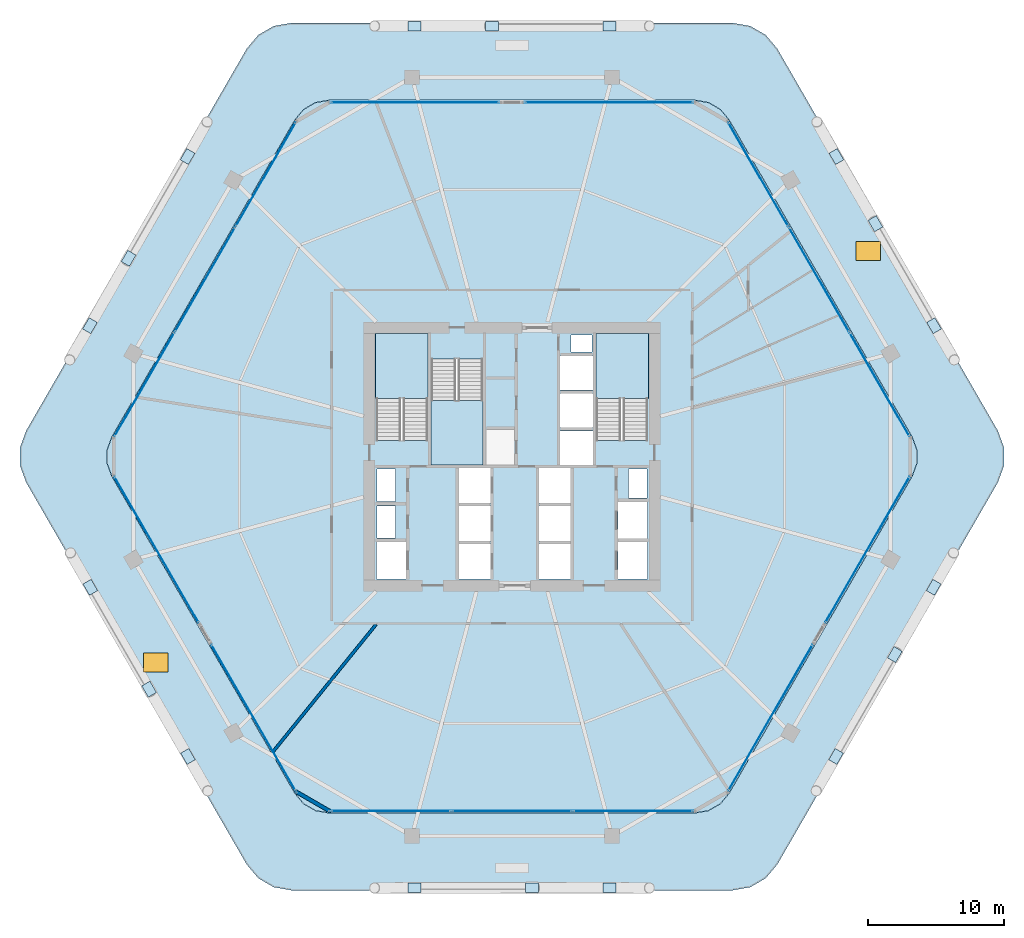
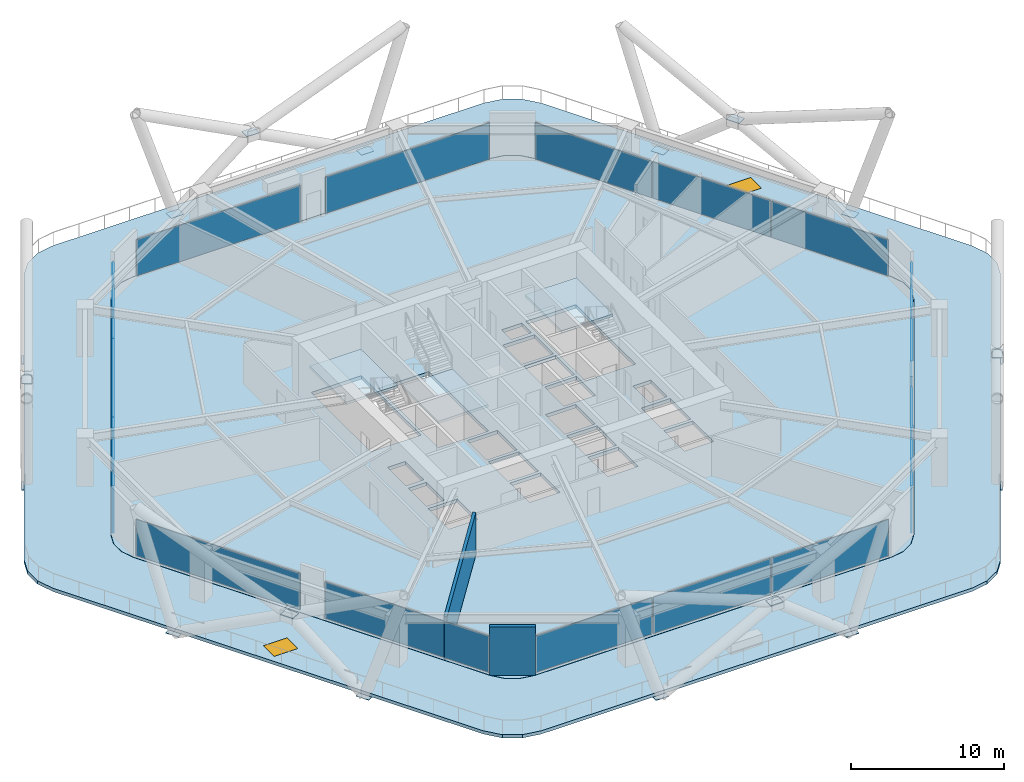
# One storey, part 22 of 28: 33 plates, 5 slabs, 2 walls, 2 windows, 2 openings, 12 elements without a shape of their own.
"""IFC4 building model written with IfcOpenShell, lengths in metres."""

from ifc_helpers import new_model, si_unit, direction, frame, frame_2d, origin, origin_2d, place, context, subcontext, project, spatial, polyline, rectangle, outline, extrude, material, layer, layer_set, type_object, element, fill, aggregate, save


model = new_model("IFC4")

# Units and contexts
model_context = context("Model", 3, precision=1e-05, world=origin(), true_north=direction((0.0, 1.0)))
body_context = subcontext(model_context, "Body", "Model", "MODEL_VIEW")
ifc_project = project(units=[si_unit("LENGTHUNIT", "METRE"), si_unit("AREAUNIT", "SQUARE_METRE"), si_unit("VOLUMEUNIT", "CUBIC_METRE"), si_unit("PLANEANGLEUNIT", "RADIAN"), si_unit("MASSUNIT", "GRAM", prefix="KILO")], contexts=[model_context])

# Site, building, storey
site_placement = place(None, origin())
site = spatial("IfcSite", under=ifc_project, at=site_placement, CompositionType="ELEMENT")
building_placement = place(site_placement, origin())
building = spatial("IfcBuilding", under=site, at=building_placement, Name="Zuhravey Tower", CompositionType="ELEMENT")
storey_placement = place(building_placement, frame((0.0, 0.0, 83.39990234375)))
storey = spatial("IfcBuildingStorey", under=building, at=storey_placement, Name="L20", CompositionType="ELEMENT", Elevation=83.39990234375)

# Curtain wall, plate
ifc_material_1 = material(Name="Thermally broken anodised aluminium", Category="aluminium")
curtain_wall_type = type_object("IfcCurtainWallType", Name="Sky-Playground Recessed Curtain Wall CW2", PredefinedType="NOTDEFINED", material=ifc_material_1)
curtain_wall_1_placement = place(storey_placement, origin())
curtain_wall_1 = element("IfcCurtainWall", 1, at=curtain_wall_1_placement, inside=storey, type_object=curtain_wall_type, Name="L20 CW2 CW-L20-F6-1", PredefinedType="NOTDEFINED")
ifc_material_2 = material(Name="Laminated acoustic low-E vision glass", Category="glass")
ifc_layer_1 = layer(ifc_material_2, 0.048095703125)
ifc_layer_set_1 = layer_set([ifc_layer_1], Name="Laminated acoustic low-E vision glass")
plate_type_1 = type_object("IfcPlateType", Name="Acoustic School Vision Panel", PredefinedType="CURTAIN_PANEL", material=ifc_layer_set_1)
plate_1_placement = place(storey_placement, frame((62.183837890625, 25.134765625, 0.10009765625), z_axis=(0.0, 0.0, 1.0), x_axis=(-0.499996956819, -0.866027160758, 0.0)))
plate_1 = element("IfcPlate", 2, at=plate_1_placement, type_object=plate_type_1, Name="CW2 panel 1.1", PredefinedType="CURTAIN_PANEL", context=body_context, shape_type="SweptSolid", body=[
    extrude(rectangle(XDim=12.392578125, YDim=0.048095703125, at=origin_2d()), origin(), (0.0, 0.0, 1.0), 2.89990234375),
])
aggregate(curtain_wall_1, [plate_1])

curtain_wall_2_placement = place(storey_placement, origin())
curtain_wall_2 = element("IfcCurtainWall", 3, at=curtain_wall_2_placement, inside=storey, type_object=curtain_wall_type, Name="L20 CW2 CW-L20-F6-2", PredefinedType="NOTDEFINED")
plate_2_placement = place(storey_placement, frame((55.037353515625, 12.7568359375, 0.10009765625), z_axis=(0.0, 0.0, 1.0), x_axis=(-0.499999474059, -0.866025707437, 0.0)))
plate_2 = element("IfcPlate", 4, at=plate_2_placement, type_object=plate_type_1, Name="CW2 panel 1.1", PredefinedType="CURTAIN_PANEL", context=body_context, shape_type="SweptSolid", body=[
    extrude(rectangle(XDim=12.392822265625, YDim=0.048095703125, at=origin_2d()), origin(), (0.0, 0.0, 1.0), 2.89990234375),
])
aggregate(curtain_wall_2, [plate_2])

# Curtain wall, plates
curtain_wall_3_placement = place(storey_placement, origin())
curtain_wall_3 = element("IfcCurtainWall", 5, at=curtain_wall_3_placement, inside=storey, type_object=curtain_wall_type, Name="L20 CW2 CW-L20-F5-1", PredefinedType="NOTDEFINED")
plate_3_placement = place(storey_placement, frame((44.936767578125, 5.8916015625, 0.10009765625), z_axis=(0.0, 0.0, 1.0), x_axis=(-1.0, 0.0, 0.0)))
plate_3 = element("IfcPlate", 6, at=plate_3_placement, type_object=plate_type_1, Name="CW2 panel 1.1", PredefinedType="CURTAIN_PANEL", context=body_context, shape_type="SweptSolid", body=[
    extrude(rectangle(XDim=8.811767578125, YDim=0.048095703125, at=origin_2d()), origin(), (0.0, 0.0, 1.0), 2.89990234375),
])
plate_4_placement = place(storey_placement, frame((36.0, 5.8916015625, 0.10009765625), z_axis=(0.0, 0.0, 1.0), x_axis=(-1.0, 0.0, 0.0)))
plate_4 = element("IfcPlate", 7, at=plate_4_placement, type_object=plate_type_1, Name="CW2 panel 2.1", PredefinedType="CURTAIN_PANEL", context=body_context, shape_type="SweptSolid", body=[
    extrude(rectangle(XDim=8.86181640625, YDim=0.048095703125, at=origin_2d()), origin(), (0.0, 0.0, 1.0), 2.89990234375),
])
plate_5_placement = place(storey_placement, frame((27.063232421875, 5.8916015625, 0.10009765625), z_axis=(0.0, 0.0, 1.0), x_axis=(-1.0, 0.0, 0.0)))
plate_5 = element("IfcPlate", 8, at=plate_5_placement, type_object=plate_type_1, Name="CW2 panel 3.1", PredefinedType="CURTAIN_PANEL", context=body_context, shape_type="SweptSolid", body=[
    extrude(rectangle(XDim=8.811767578125, YDim=0.048095703125, at=origin_2d()), origin(), (0.0, 0.0, 1.0), 2.89990234375),
])
aggregate(curtain_wall_3, [plate_3, plate_4, plate_5])

# Curtain wall, plate
curtain_wall_4_placement = place(storey_placement, origin())
curtain_wall_4 = element("IfcCurtainWall", 9, at=curtain_wall_4_placement, inside=storey, type_object=curtain_wall_type, Name="L20 CW2 CW-L20-F4-1", PredefinedType="NOTDEFINED")
plate_6_placement = place(storey_placement, frame((16.962646484375, 12.7568359375, 0.10009765625), z_axis=(0.0, 0.0, 1.0), x_axis=(-0.499996956819, 0.866027160758, 0.0)))
plate_6 = element("IfcPlate", 10, at=plate_6_placement, type_object=plate_type_1, Name="CW2 panel 1.1", PredefinedType="CURTAIN_PANEL", context=body_context, shape_type="SweptSolid", body=[
    extrude(rectangle(XDim=12.392578125, YDim=0.048095703125, at=origin_2d()), origin(), (0.0, 0.0, 1.0), 2.89990234375),
])
aggregate(curtain_wall_4, [plate_6])

curtain_wall_5_placement = place(storey_placement, origin())
curtain_wall_5 = element("IfcCurtainWall", 11, at=curtain_wall_5_placement, inside=storey, type_object=curtain_wall_type, Name="L20 CW2 CW-L20-F4-2", PredefinedType="NOTDEFINED")
plate_7_placement = place(storey_placement, frame((9.81640625, 25.134765625, 0.10009765625), z_axis=(0.0, 0.0, 1.0), x_axis=(-0.499999474059, 0.866025707437, 0.0)))
plate_7 = element("IfcPlate", 12, at=plate_7_placement, type_object=plate_type_1, Name="CW2 panel 1.1", PredefinedType="CURTAIN_PANEL", context=body_context, shape_type="SweptSolid", body=[
    extrude(rectangle(XDim=12.392822265625, YDim=0.048095703125, at=origin_2d()), origin(), (0.0, 0.0, 1.0), 2.89990234375),
])
aggregate(curtain_wall_5, [plate_7])

# Curtain wall, plates
curtain_wall_6_placement = place(storey_placement, origin())
curtain_wall_6 = element("IfcCurtainWall", 13, at=curtain_wall_6_placement, inside=storey, type_object=curtain_wall_type, Name="L20 CW2 CW-L20-F3-1", PredefinedType="NOTDEFINED")
plate_8_placement = place(storey_placement, frame((8.921142578125, 37.314697265625, 0.10009765625), z_axis=(0.0, 0.0, 1.0), x_axis=(0.499999023843, 0.866025967368, 0.0)))
plate_8 = element("IfcPlate", 14, at=plate_8_placement, type_object=plate_type_1, Name="CW2 panel 1.1", PredefinedType="CURTAIN_PANEL", context=body_context, shape_type="SweptSolid", body=[
    extrude(rectangle(XDim=8.811767578125, YDim=0.048095703125, at=origin_2d()), origin(), (0.0, 0.0, 1.0), 2.89990234375),
])
plate_9_placement = place(storey_placement, frame((13.389404296875, 45.05419921875, 0.10009765625), z_axis=(0.0, 0.0, 1.0), x_axis=(0.499999023843, 0.866025967368, 0.0)))
plate_9 = element("IfcPlate", 15, at=plate_9_placement, type_object=plate_type_1, Name="CW2 panel 2.1", PredefinedType="CURTAIN_PANEL", context=body_context, shape_type="SweptSolid", body=[
    extrude(rectangle(XDim=8.86181640625, YDim=0.048095703125, at=origin_2d()), origin(), (0.0, 0.0, 1.0), 2.89990234375),
])
plate_10_placement = place(storey_placement, frame((17.85791015625, 52.793701171875, 0.10009765625), z_axis=(0.0, 0.0, 1.0), x_axis=(0.499999023843, 0.866025967368, 0.0)))
plate_10 = element("IfcPlate", 16, at=plate_10_placement, type_object=plate_type_1, Name="CW2 panel 3.1", PredefinedType="CURTAIN_PANEL", context=body_context, shape_type="SweptSolid", body=[
    extrude(rectangle(XDim=8.811767578125, YDim=0.048095703125, at=origin_2d()), origin(), (0.0, 0.0, 1.0), 2.89990234375),
])
aggregate(curtain_wall_6, [plate_8, plate_9, plate_10])

# Curtain wall, plate
curtain_wall_7_placement = place(storey_placement, origin())
curtain_wall_7 = element("IfcCurtainWall", 17, at=curtain_wall_7_placement, inside=storey, type_object=curtain_wall_type, Name="L20 CW2 CW-L20-F2-1", PredefinedType="NOTDEFINED")
plate_11_placement = place(storey_placement, frame((28.853759765625, 58.1083984375, 0.10009765625), z_axis=(0.0, 0.0, 1.0), x_axis=(1.0, 0.0, 0.0)))
plate_11 = element("IfcPlate", 18, at=plate_11_placement, type_object=plate_type_1, Name="CW2 panel 1.1", PredefinedType="CURTAIN_PANEL", context=body_context, shape_type="SweptSolid", body=[
    extrude(rectangle(XDim=12.392578125, YDim=0.048095703125, at=origin_2d()), origin(), (0.0, 0.0, 1.0), 2.89990234375),
])
aggregate(curtain_wall_7, [plate_11])

curtain_wall_8_placement = place(storey_placement, origin())
curtain_wall_8 = element("IfcCurtainWall", 19, at=curtain_wall_8_placement, inside=storey, type_object=curtain_wall_type, Name="L20 CW2 CW-L20-F2-2", PredefinedType="NOTDEFINED")
plate_12_placement = place(storey_placement, frame((43.146240234375, 58.1083984375, 0.10009765625), z_axis=(0.0, 0.0, 1.0), x_axis=(1.0, 0.0, 0.0)))
plate_12 = element("IfcPlate", 20, at=plate_12_placement, type_object=plate_type_1, Name="CW2 panel 1.1", PredefinedType="CURTAIN_PANEL", context=body_context, shape_type="SweptSolid", body=[
    extrude(rectangle(XDim=12.392578125, YDim=0.048095703125, at=origin_2d()), origin(), (0.0, 0.0, 1.0), 2.89990234375),
])
aggregate(curtain_wall_8, [plate_12])

# Curtain wall, plates
curtain_wall_9_placement = place(storey_placement, origin())
curtain_wall_9 = element("IfcCurtainWall", 21, at=curtain_wall_9_placement, inside=storey, type_object=curtain_wall_type, Name="L20 CW2 CW-L20-F1-1", PredefinedType="NOTDEFINED")
plate_13_placement = place(storey_placement, frame((54.14208984375, 52.793701171875, 0.10009765625), z_axis=(0.0, 0.0, 1.0), x_axis=(0.499999023843, -0.866025967368, 0.0)))
plate_13 = element("IfcPlate", 22, at=plate_13_placement, type_object=plate_type_1, Name="CW2 panel 1.1", PredefinedType="CURTAIN_PANEL", context=body_context, shape_type="SweptSolid", body=[
    extrude(rectangle(XDim=8.811767578125, YDim=0.048095703125, at=origin_2d()), origin(), (0.0, 0.0, 1.0), 2.89990234375),
])
plate_14_placement = place(storey_placement, frame((58.610595703125, 45.05419921875, 0.10009765625), z_axis=(0.0, 0.0, 1.0), x_axis=(0.499999023843, -0.866025967368, 0.0)))
plate_14 = element("IfcPlate", 23, at=plate_14_placement, type_object=plate_type_1, Name="CW2 panel 2.1", PredefinedType="CURTAIN_PANEL", context=body_context, shape_type="SweptSolid", body=[
    extrude(rectangle(XDim=8.86181640625, YDim=0.048095703125, at=origin_2d()), origin(), (0.0, 0.0, 1.0), 2.89990234375),
])
plate_15_placement = place(storey_placement, frame((63.078857421875, 37.314697265625, 0.10009765625), z_axis=(0.0, 0.0, 1.0), x_axis=(0.499999023843, -0.866025967368, 0.0)))
plate_15 = element("IfcPlate", 24, at=plate_15_placement, type_object=plate_type_1, Name="CW2 panel 3.1", PredefinedType="CURTAIN_PANEL", context=body_context, shape_type="SweptSolid", body=[
    extrude(rectangle(XDim=8.811767578125, YDim=0.048095703125, at=origin_2d()), origin(), (0.0, 0.0, 1.0), 2.89990234375),
])
aggregate(curtain_wall_9, [plate_13, plate_14, plate_15])

# Plates
ifc_material_3 = material(Name="Steel SM460", Category="steel")
ifc_layer_2 = layer(ifc_material_3, 0.0400390625)
ifc_layer_set_2 = layer_set([ifc_layer_2], Name="Steel SM460")
plate_type_2 = type_object("IfcPlateType", Name="Exoskeleton Zone 1 Node Plate ND1", PredefinedType="SHEET", material=ifc_layer_set_2)
for number, where, z_axis, x_axis, name in (
    (25, (67.091796875, 41.644287109375, -0.513916015625), (0.0, 0.0, 1.0), (-0.5, 0.866025403784, 0.0), "L20 Exoskeleton Node Gusset L20-01"),
    (26, (59.898193359375, 54.104248046875, -0.513916015625), (0.0, 0.0, 1.0), (-0.5, 0.866025403784, 0.0), "L20 Exoskeleton Node Gusset L20-02"),
    (27, (43.19384765625, 63.718505859375, -0.513916015625), (0.0, 0.0, 1.0), (-1.0, 0.0, 0.0), "L20 Exoskeleton Node Gusset L20-03"),
    (28, (28.80615234375, 63.718505859375, -0.513916015625), (0.0, 0.0, 1.0), (-1.0, 0.0, 0.0), "L20 Exoskeleton Node Gusset L20-04"),
    (29, (12.101806640625, 54.104248046875, -0.513916015625), (0.0, 0.0, 1.0), (-0.5, -0.866025403784, 0.0), "L20 Exoskeleton Node Gusset L20-05"),
    (30, (4.908203125, 41.644287109375, -0.513916015625), (0.0, 0.0, 1.0), (-0.5, -0.866025403784, 0.0), "L20 Exoskeleton Node Gusset L20-06"),
    (31, (4.93408203125, 22.370849609375, -0.513916015625), (0.0, 0.0, 1.0), (0.5, -0.866025403784, 0.0), "L20 Exoskeleton Node Gusset L20-07"),
    (32, (12.1279296875, 9.91064453125, -0.513916015625), (0.0, 0.0, 1.0), (0.5, -0.866025403784, 0.0), "L20 Exoskeleton Node Gusset L20-08"),
    (33, (28.80615234375, 0.25146484375, -0.513916015625), (0.0, 0.0, 1.0), (1.0, 0.0, 0.0), "L20 Exoskeleton Node Gusset L20-09"),
    (34, (43.19384765625, 0.25146484375, -0.513916015625), (0.0, 0.0, 1.0), (1.0, 0.0, 0.0), "L20 Exoskeleton Node Gusset L20-10"),
    (35, (59.8720703125, 9.91064453125, -0.513916015625), (0.0, 0.0, 1.0), (0.5, 0.866025403784, 0.0), "L20 Exoskeleton Node Gusset L20-11"),
    (36, (67.06591796875, 22.370849609375, -0.513916015625), (0.0, 0.0, 1.0), (0.5, 0.866025403784, 0.0), "L20 Exoskeleton Node Gusset L20-12"),
    (37, (62.772216796875, 49.156005859375, 4.0009765625), (0.0, 0.0, 1.0), (-0.5, 0.866025403784, 0.0), "L20 Face 1 Diagrid X-Crossing Plate"),
    (38, (34.528564453125, 63.718505859375, 4.0009765625), (0.0, 0.0, 1.0), (-1.0, 0.0, 0.0), "L20 Face 2 Diagrid X-Crossing Plate"),
    (39, (7.75634765625, 46.607421875, 4.0009765625), (0.0, 0.0, 1.0), (-0.5, -0.866025403784, 0.0), "L20 Face 3 Diagrid X-Crossing Plate"),
    (40, (9.266845703125, 14.866455078125, 4.0009765625), (0.0, 0.0, 1.0), (0.5, -0.866025403784, 0.0), "L20 Face 4 Diagrid X-Crossing Plate"),
    (41, (37.471435546875, 0.236572265625, 4.0009765625), (0.0, 0.0, 1.0), (1.0, 0.0, 0.0), "L20 Face 5 Diagrid X-Crossing Plate"),
    (42, (64.204833984375, 17.4150390625, 4.0009765625), (0.0, 0.0, 1.0), (0.5, 0.866025403784, 0.0), "L20 Face 6 Diagrid X-Crossing Plate"),
):
    element("IfcPlate", number, at=place(storey_placement, frame(where, z_axis=z_axis, x_axis=x_axis)), inside=storey, type_object=plate_type_2, Name=name, PredefinedType="SHEET", context=body_context, shape_type="SweptSolid", body=[
        extrude(rectangle(XDim=0.9599609375, YDim=0.699951171875, at=origin_2d()), origin(), (0.0, 0.0, 1.0), 0.0400390625),
    ])

# Slab
ifc_material_4 = material(Name="Concrete C50/60", Category="concrete")
ifc_layer_3 = layer(ifc_material_4, 0.280029296875)
ifc_layer_set_3 = layer_set([ifc_layer_3], Name="Concrete C50/60")
slab_type_1 = type_object("IfcSlabType", Name="School Composite Floor Slab 280", PredefinedType="FLOOR", material=ifc_layer_set_3)
slab_1_placement = place(storey_placement, frame((0.0, 0.0, -0.27978515625)))
element("IfcSlab", 43, at=slab_1_placement, inside=storey, type_object=slab_type_1, Name="L20 Floor Slab FS28", PredefinedType="FLOOR", context=body_context, shape_type="SweptSolid", body=[
    extrude(outline(polyline([(65.471923828125, 30.550048828125), (65.81640625, 31.496337890625), (65.81640625, 32.503662109375), (65.471923828125, 33.449951171875), (51.99169921875, 56.798583984375), (51.34423828125, 57.570068359375), (50.47216796875, 58.073486328125), (49.480224609375, 58.24853515625), (22.519775390625, 58.24853515625), (21.52783203125, 58.073486328125), (20.65576171875, 57.570068359375), (20.00830078125, 56.798583984375), (6.528076171875, 33.449951171875), (6.18359375, 32.503662109375), (6.18359375, 31.496337890625), (6.528076171875, 30.550048828125), (20.00830078125, 7.201416015625), (20.65576171875, 6.429931640625), (21.52783203125, 5.926513671875), (22.519775390625, 5.75146484375), (49.480224609375, 5.75146484375), (50.47216796875, 5.926513671875), (51.34423828125, 6.429931640625), (51.99169921875, 7.201416015625), (65.471923828125, 30.550048828125)]), holes=[polyline([(29.800048828125, 33.20068359375), (29.800048828125, 41.0), (26.0, 41.0), (26.0, 33.20068359375), (29.800048828125, 33.20068359375)]), polyline([(46.0, 33.20068359375), (46.0, 41.0), (42.199951171875, 41.0), (42.199951171875, 33.20068359375), (46.0, 33.20068359375)]), polyline([(30.050048828125, 39.199462890625), (30.050048828125, 31.39990234375), (33.85009765625, 31.39990234375), (33.85009765625, 39.199462890625), (30.050048828125, 39.199462890625)]), polyline([(32.10009765625, 23.0), (34.39990234375, 23.0), (34.39990234375, 25.550048828125), (32.10009765625, 25.550048828125), (32.10009765625, 23.0)]), polyline([(32.10009765625, 25.800048828125), (34.39990234375, 25.800048828125), (34.39990234375, 28.35009765625), (32.10009765625, 28.35009765625), (32.10009765625, 25.800048828125)]), polyline([(32.10009765625, 28.60009765625), (34.39990234375, 28.60009765625), (34.39990234375, 31.14990234375), (32.10009765625, 31.14990234375), (32.10009765625, 28.60009765625)]), polyline([(38.0, 23.0), (40.300048828125, 23.0), (40.300048828125, 25.550048828125), (38.0, 25.550048828125), (38.0, 23.0)]), polyline([(38.0, 25.800048828125), (40.300048828125, 25.800048828125), (40.300048828125, 28.35009765625), (38.0, 28.35009765625), (38.0, 25.800048828125)]), polyline([(38.0, 28.60009765625), (40.300048828125, 28.60009765625), (40.300048828125, 31.14990234375), (38.0, 31.14990234375), (38.0, 28.60009765625)]), polyline([(39.550048828125, 31.39990234375), (41.949951171875, 31.39990234375), (41.949951171875, 33.89990234375), (39.550048828125, 33.89990234375), (39.550048828125, 31.39990234375)]), polyline([(39.550048828125, 34.14990234375), (41.949951171875, 34.14990234375), (41.949951171875, 36.64990234375), (39.550048828125, 36.64990234375), (39.550048828125, 34.14990234375)]), polyline([(39.550048828125, 36.89990234375), (41.949951171875, 36.89990234375), (41.949951171875, 39.39990234375), (39.550048828125, 39.39990234375), (39.550048828125, 36.89990234375)]), polyline([(26.0, 23.0), (28.199951171875, 23.0), (28.199951171875, 25.699951171875), (26.0, 25.699951171875), (26.0, 23.0)]), polyline([(43.800048828125, 23.0), (46.0, 23.0), (46.0, 25.699951171875), (43.800048828125, 25.699951171875), (43.800048828125, 23.0)]), polyline([(43.800048828125, 25.949951171875), (46.0, 25.949951171875), (46.0, 28.64990234375), (43.800048828125, 28.64990234375), (43.800048828125, 25.949951171875)]), polyline([(26.050048828125, 26.0), (27.39990234375, 26.0), (27.39990234375, 28.35009765625), (26.050048828125, 28.35009765625), (26.050048828125, 26.0)]), polyline([(26.050048828125, 28.699951171875), (27.39990234375, 28.699951171875), (27.39990234375, 31.10009765625), (26.050048828125, 31.10009765625), (26.050048828125, 28.699951171875)]), polyline([(44.60009765625, 28.949951171875), (45.949951171875, 28.949951171875), (45.949951171875, 31.10009765625), (44.60009765625, 31.10009765625), (44.60009765625, 28.949951171875)]), polyline([(40.35009765625, 39.699951171875), (41.89990234375, 39.699951171875), (41.89990234375, 40.949951171875), (40.35009765625, 40.949951171875), (40.35009765625, 39.699951171875)])]), origin(), (0.0, 0.0, 1.0), 0.27978515625),
])

# Slab, openings, windows
ifc_layer_4 = layer(ifc_material_4, 0.260009765625)
ifc_layer_set_4 = layer_set([ifc_layer_4], Name="Concrete C50/60")
slab_type_2 = type_object("IfcSlabType", Name="Sky-Playground & Garden Tray Slab 260", PredefinedType="FLOOR", material=ifc_layer_set_4)
slab_2_placement = place(storey_placement, frame((0.0, 0.0, -0.260009765625)))
slab_2 = element("IfcSlab", 44, at=slab_2_placement, inside=storey, type_object=slab_type_2, Name="L20 Sky-Garden Perimeter Tray GT26", PredefinedType="FLOOR", context=body_context, shape_type="SweptSolid", body=[
    extrude(outline(polyline([(71.7939453125, 30.10009765625), (72.245361328125, 31.340087890625), (72.245361328125, 32.659912109375), (71.7939453125, 33.89990234375), (55.54248046875, 62.048583984375), (54.694091796875, 63.059326171875), (53.55126953125, 63.71923828125), (52.25146484375, 63.948486328125), (19.74853515625, 63.948486328125), (18.44873046875, 63.71923828125), (17.305908203125, 63.059326171875), (16.45751953125, 62.048583984375), (0.2060546875, 33.89990234375), (-0.245361328125, 32.659912109375), (-0.245361328125, 31.340087890625), (0.2060546875, 30.10009765625), (16.45751953125, 1.951416015625), (17.305908203125, 0.940673828125), (18.44873046875, 0.28076171875), (19.74853515625, 0.051513671875), (52.25146484375, 0.051513671875), (53.55126953125, 0.28076171875), (54.694091796875, 0.940673828125), (55.54248046875, 1.951416015625), (71.7939453125, 30.10009765625)]), holes=[polyline([(65.48681640625, 30.550048828125), (65.831298828125, 31.496337890625), (65.831298828125, 32.503662109375), (65.48681640625, 33.449951171875), (51.999267578125, 56.811279296875), (51.351806640625, 57.5830078125), (50.4794921875, 58.08642578125), (49.48779296875, 58.261474609375), (22.51220703125, 58.261474609375), (21.5205078125, 58.08642578125), (20.648193359375, 57.5830078125), (20.000732421875, 56.811279296875), (6.51318359375, 33.449951171875), (6.168701171875, 32.503662109375), (6.168701171875, 31.496337890625), (6.51318359375, 30.550048828125), (20.000732421875, 7.188720703125), (20.648193359375, 6.4169921875), (21.5205078125, 5.91357421875), (22.51220703125, 5.738525390625), (49.48779296875, 5.738525390625), (50.4794921875, 5.91357421875), (51.351806640625, 6.4169921875), (51.999267578125, 7.188720703125), (65.48681640625, 30.550048828125)])]), origin(), (0.0, 0.0, 1.0), 0.260009765625),
])
opening_1_placement = place(slab_2_placement, frame((62.25, 47.155517578125, 0.0)))
opening_1 = element("IfcOpeningElement", 45, at=opening_1_placement, cuts=slab_2, Name="Opening RL1", PredefinedType="OPENING", context=body_context, shape_type="SweptSolid", body=[
    extrude(rectangle(XDim=1.800048828125, YDim=1.39990234375, at=origin_2d()), origin(), (0.0, 0.0, 1.0), 0.260009765625),
])
opening_2_placement = place(slab_2_placement, frame((9.75, 16.844482421875, 0.0)))
opening_2 = element("IfcOpeningElement", 46, at=opening_2_placement, cuts=slab_2, Name="Opening RL1", PredefinedType="OPENING", context=body_context, shape_type="SweptSolid", body=[
    extrude(rectangle(XDim=1.800048828125, YDim=1.39990234375, at=origin_2d()), origin(), (0.0, 0.0, 1.0), 0.260009765625),
])
ifc_material_5 = material(Name="Thermally broken aluminium and laminated safety glass", Category="aluminium")
window_type = type_object("IfcWindowType", Name="Play-Deck Daylight Rooflight 1800x2200", PartitioningType="SINGLE_PANEL", PredefinedType="SKYLIGHT", material=ifc_material_5)
window_1_placement = place(opening_1_placement, frame((0.0, 0.0, 0.2099609375)))
window_1 = element("IfcWindow", 47, at=window_1_placement, inside=storey, type_object=window_type, Name="L20 Play-Deck Daylight Rooflight RL1-1", OverallHeight=1.39990234375, OverallWidth=1.800048828125, PartitioningType="SINGLE_PANEL", PredefinedType="SKYLIGHT", context=body_context, shape_type="SweptSolid", body=[
    extrude(rectangle(XDim=1.800048828125, YDim=1.39990234375, at=origin_2d()), origin(), (0.0, 0.0, 1.0), 0.050048828125),
])
fill(opening_1, window_1)
window_2_placement = place(opening_2_placement, frame((0.0, 0.0, 0.2099609375)))
window_2 = element("IfcWindow", 48, at=window_2_placement, inside=storey, type_object=window_type, Name="L20 Play-Deck Daylight Rooflight RL1-2", OverallHeight=1.39990234375, OverallWidth=1.800048828125, PartitioningType="SINGLE_PANEL", PredefinedType="SKYLIGHT", context=body_context, shape_type="SweptSolid", body=[
    extrude(rectangle(XDim=1.800048828125, YDim=1.39990234375, at=origin_2d()), origin(), (0.0, 0.0, 1.0), 0.050048828125),
])
fill(opening_2, window_2)

# Stair, slab
ifc_material_6 = material(Name="Concrete C40/50", Category="concrete")
stair_type = type_object("IfcStairType", Name="School Storey Stair Assembly 4200", PredefinedType="HALF_TURN_STAIR", material=ifc_material_6)
stair_1_placement = place(storey_placement, origin())
stair_1 = element("IfcStair", 49, at=stair_1_placement, inside=storey, type_object=stair_type, Name="L20 Core Exit Stair ST1", PredefinedType="HALF_TURN_STAIR")
ifc_layer_5 = layer(ifc_material_6, 0.199951171875)
ifc_layer_set_5 = layer_set([ifc_layer_5], Name="Concrete C40/50")
slab_type_3 = type_object("IfcSlabType", Name="Stair Landing Slab 200", PredefinedType="LANDING", material=ifc_layer_set_5)
slab_3_placement = place(storey_placement, frame((0.0, 0.0, 1.900146484375)))
slab_3 = element("IfcSlab", 50, at=slab_3_placement, type_object=slab_type_3, Name="ST1 landing 1", PredefinedType="LANDING", context=body_context, shape_type="SweptSolid", body=[
    extrude(outline(polyline([(29.800048828125, 36.280029296875), (29.800048828125, 41.072998046875), (25.927001953125, 41.072998046875), (25.927001953125, 36.280029296875), (29.800048828125, 36.280029296875)])), origin(), (0.0, 0.0, 1.0), 0.199951171875),
])
aggregate(stair_1, [slab_3])

stair_2_placement = place(storey_placement, origin())
stair_2 = element("IfcStair", 51, at=stair_2_placement, inside=storey, type_object=stair_type, Name="L20 Core Exit Stair ST2", PredefinedType="HALF_TURN_STAIR")
slab_4_placement = place(storey_placement, frame((0.0, 0.0, 1.900146484375)))
slab_4 = element("IfcSlab", 52, at=slab_4_placement, type_object=slab_type_3, Name="ST2 landing 1", PredefinedType="LANDING", context=body_context, shape_type="SweptSolid", body=[
    extrude(outline(polyline([(46.072998046875, 36.280029296875), (46.072998046875, 41.072998046875), (42.199951171875, 41.072998046875), (42.199951171875, 36.280029296875), (46.072998046875, 36.280029296875)])), origin(), (0.0, 0.0, 1.0), 0.199951171875),
])
aggregate(stair_2, [slab_4])

stair_3_placement = place(storey_placement, origin())
stair_3 = element("IfcStair", 53, at=stair_3_placement, inside=storey, type_object=stair_type, Name="L20 Core Exit Stair ST3", PredefinedType="HALF_TURN_STAIR")
slab_5_placement = place(storey_placement, frame((0.0, 0.0, 1.900146484375)))
slab_5 = element("IfcSlab", 54, at=slab_5_placement, type_object=slab_type_3, Name="ST3 landing 1", PredefinedType="LANDING", context=body_context, shape_type="SweptSolid", body=[
    extrude(outline(polyline([(30.050048828125, 36.1201171875), (30.050048828125, 31.39990234375), (33.85009765625, 31.39990234375), (33.85009765625, 36.1201171875), (30.050048828125, 36.1201171875)])), origin(), (0.0, 0.0, 1.0), 0.199951171875),
])
aggregate(stair_3, [slab_5])

# Walls
ifc_material_7 = material(Name="Precast concrete C40/50", Category="concrete")
ifc_layer_6 = layer(ifc_material_7, 0.280029296875)
ifc_layer_set_6 = layer_set([ifc_layer_6], Name="Precast concrete C40/50")
wall_type_1 = type_object("IfcWallType", Name="Crown Architectural Wall 280", PredefinedType="SOLIDWALL", material=ifc_layer_set_6)
wall_1_placement = place(storey_placement, frame((22.6396484375, 5.843994140625, 0.0), z_axis=(0.0, 0.0, 1.0), x_axis=(-0.866017028182, 0.500014506688, 0.0)))
element("IfcWall", 55, at=wall_1_placement, inside=storey, type_object=wall_type_1, Name="L20 Rounded Corner Closure Wall EW28-04", PredefinedType="SOLIDWALL", context=body_context, shape_type="SweptSolid", body=[
    extrude(rectangle(XDim=3.01513671875, YDim=0.280029296875, at=frame_2d((1.507568359375, 0.0))), origin(), (0.0, 0.0, 1.0), 3.85009765625),
])
ifc_material_8 = material(Name="Gypsum acoustic stud assembly")
ifc_layer_7 = layer(ifc_material_8, 0.219970703125)
ifc_layer_set_7 = layer_set([ifc_layer_7], Name="Gypsum acoustic stud assembly")
wall_type_2 = type_object("IfcWallType", Name="School Acoustic Compartment Wall 220", PredefinedType="PARTITIONING", material=ifc_layer_set_7)
wall_2_placement = place(storey_placement, frame((25.98046875, 19.626953125, 0.0), z_axis=(0.0, 0.0, 1.0), x_axis=(-0.629321252665, -0.777145263734, 0.0)))
element("IfcWall", 56, at=wall_2_placement, inside=storey, type_object=wall_type_2, Name="L20 IW22 Partition 048", PredefinedType="PARTITIONING", context=body_context, shape_type="SweptSolid", body=[
    extrude(rectangle(XDim=12.044921875, YDim=0.219970703125, at=frame_2d((6.0224609375, 0.0))), origin(), (0.0, 0.0, 1.0), 3.400146484375),
])

save(model, "model.ifc")
